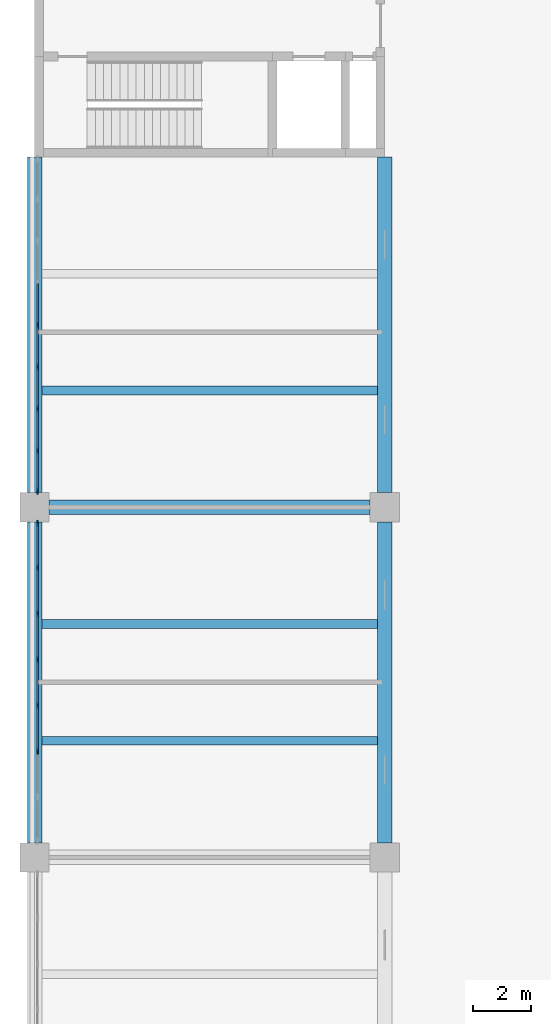
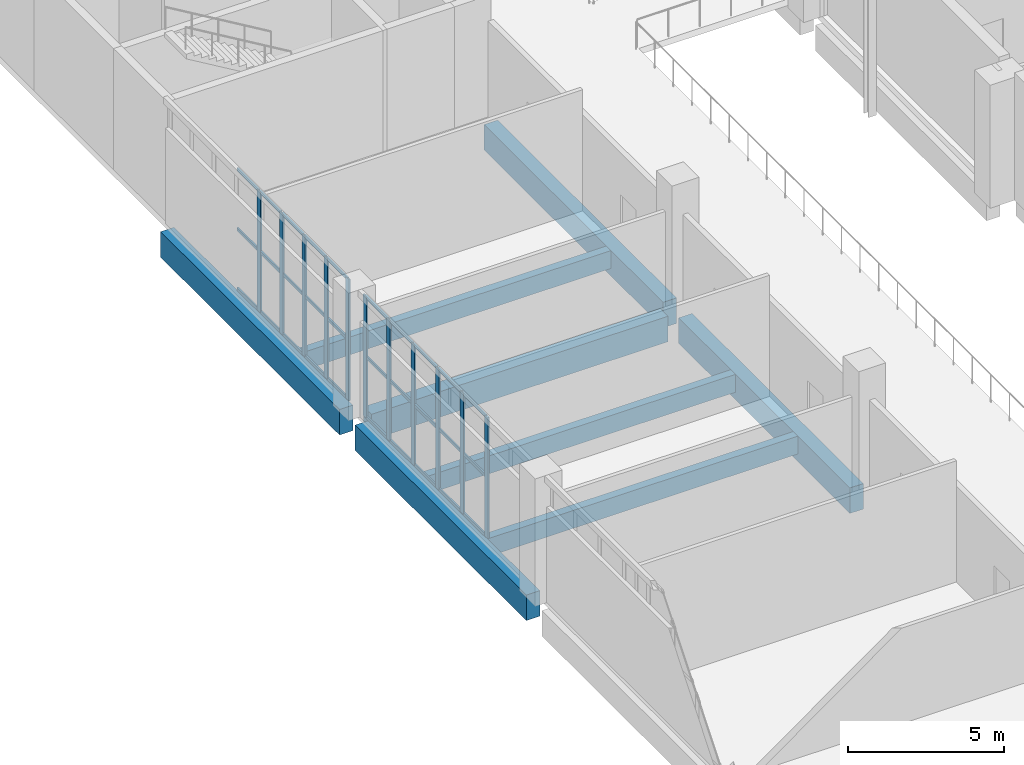
# One storey, part 33 of 69: 41 members, 8 beams, 2 elements without a shape of their own.
"""IFC4 building model written with IfcOpenShell, lengths in metres."""

from ifc_helpers import new_model, si_unit, direction, frame, origin, origin_2d, place, context, subcontext, project, spatial, rectangle, extrude, material, layer, layer_set, material_profile, profile_set, type_object, element, aggregate, save


model = new_model("IFC4")

# Units and contexts
model_context = context("Model", 3, precision=1e-05, world=origin(), true_north=direction((0.0, 1.0)))
body_context = subcontext(model_context, "Body", "Model", "MODEL_VIEW")
ifc_project = project(units=[si_unit("LENGTHUNIT", "METRE"), si_unit("AREAUNIT", "SQUARE_METRE"), si_unit("VOLUMEUNIT", "CUBIC_METRE"), si_unit("PLANEANGLEUNIT", "RADIAN"), si_unit("MASSUNIT", "GRAM", prefix="KILO")], contexts=[model_context])

# Site, building, storey
site_placement = place(None, origin())
site = spatial("IfcSite", under=ifc_project, at=site_placement, CompositionType="ELEMENT")
building_placement = place(site_placement, origin())
building = spatial("IfcBuilding", under=site, at=building_placement, Name="Lilac Gate Convention Centre", CompositionType="ELEMENT")
storey_placement = place(building_placement, frame((0.0, 0.0, 12.0)))
storey = spatial("IfcBuildingStorey", under=building, at=storey_placement, Name="L02", CompositionType="ELEMENT", Elevation=12.0)

# Curtain wall, members
ifc_material_1 = material(Name="Aluminium framed double glazing", Category="aluminium")
ifc_layer = layer(ifc_material_1, 0.199951171875)
ifc_layer_set = layer_set([ifc_layer], Name="Aluminium framed double glazing")
curtain_wall_type = type_object("IfcCurtainWallType", Name="Unitised curtain wall 1500", PredefinedType="NOTDEFINED", material=ifc_layer_set)
curtain_wall_1_placement = place(storey_placement, origin())
curtain_wall_1 = element("IfcCurtainWall", 1, at=curtain_wall_1_placement, inside=storey, type_object=curtain_wall_type, Name="Curtain wall PW L02 1", PredefinedType="NOTDEFINED")
ifc_material_2 = material(Name="Aluminium alloy 6063", Category="aluminium")
ifc_material_profile_1 = material_profile(ifc_material_2, rectangle(XDim=0.06005859375, YDim=0.219970703125, at=origin_2d()), Name="Curtain wall mullion 60 x 220")
ifc_profile_set_1 = profile_set([ifc_material_profile_1], Name="Aluminium alloy 6063")
member_type_1 = type_object("IfcMemberType", Name="Curtain wall mullion 60 x 220", PredefinedType="MULLION", material=ifc_profile_set_1)
member_1_placement = place(storey_placement, frame((6.10009765625, 204.25, 0.0), z_axis=(0.0, 0.0, 1.0), x_axis=(1.0, 0.0, 0.0)))
member_1 = element("IfcMember", 2, at=member_1_placement, type_object=member_type_1, Name="CW mullion 5", PredefinedType="MULLION", context=body_context, shape_type="SweptSolid", body=[
    extrude(rectangle(XDim=0.06005859375, YDim=0.219970703125, at=origin_2d()), origin(), (0.0, 0.0, 1.0), 4.75),
])
member_2_placement = place(storey_placement, frame((6.10009765625, 202.8125, 0.0), z_axis=(0.0, 0.0, 1.0), x_axis=(1.0, 0.0, 0.0)))
member_2 = element("IfcMember", 3, at=member_2_placement, type_object=member_type_1, Name="CW mullion 6", PredefinedType="MULLION", context=body_context, shape_type="SweptSolid", body=[
    extrude(rectangle(XDim=0.06005859375, YDim=0.219970703125, at=origin_2d()), origin(), (0.0, 0.0, 1.0), 4.75),
])
member_3_placement = place(storey_placement, frame((6.10009765625, 201.375, 0.0), z_axis=(0.0, 0.0, 1.0), x_axis=(1.0, 0.0, 0.0)))
member_3 = element("IfcMember", 4, at=member_3_placement, type_object=member_type_1, Name="CW mullion 7", PredefinedType="MULLION", context=body_context, shape_type="SweptSolid", body=[
    extrude(rectangle(XDim=0.06005859375, YDim=0.219970703125, at=origin_2d()), origin(), (0.0, 0.0, 1.0), 4.75),
])
member_4_placement = place(storey_placement, frame((6.10009765625, 199.9375, 0.0), z_axis=(0.0, 0.0, 1.0), x_axis=(1.0, 0.0, 0.0)))
member_4 = element("IfcMember", 5, at=member_4_placement, type_object=member_type_1, Name="CW mullion 8", PredefinedType="MULLION", context=body_context, shape_type="SweptSolid", body=[
    extrude(rectangle(XDim=0.06005859375, YDim=0.219970703125, at=origin_2d()), origin(), (0.0, 0.0, 1.0), 4.75),
])
member_5_placement = place(storey_placement, frame((6.10009765625, 198.56005859375, 0.0), z_axis=(0.0, 0.0, 1.0), x_axis=(1.0, 0.0, 0.0)))
member_5 = element("IfcMember", 6, at=member_5_placement, type_object=member_type_1, Name="CW mullion 9", PredefinedType="MULLION", context=body_context, shape_type="SweptSolid", body=[
    extrude(rectangle(XDim=0.06005859375, YDim=0.219970703125, at=origin_2d()), origin(), (0.0, 0.0, 1.0), 4.75),
])

curtain_wall_2_placement = place(storey_placement, origin())
curtain_wall_2 = element("IfcCurtainWall", 7, at=curtain_wall_2_placement, inside=storey, type_object=curtain_wall_type, Name="Curtain wall PW L02 2", PredefinedType="NOTDEFINED")
member_6_placement = place(storey_placement, frame((6.10009765625, 197.43994140625, 0.0), z_axis=(0.0, 0.0, 1.0), x_axis=(1.0, 0.0, 0.0)))
member_6 = element("IfcMember", 8, at=member_6_placement, type_object=member_type_1, Name="CW mullion 1", PredefinedType="MULLION", context=body_context, shape_type="SweptSolid", body=[
    extrude(rectangle(XDim=0.06005859375, YDim=0.219970703125, at=origin_2d()), origin(), (0.0, 0.0, 1.0), 4.75),
])
member_7_placement = place(storey_placement, frame((6.10009765625, 195.928466796875, 0.0), z_axis=(0.0, 0.0, 1.0), x_axis=(1.0, 0.0, 0.0)))
member_7 = element("IfcMember", 9, at=member_7_placement, type_object=member_type_1, Name="CW mullion 2", PredefinedType="MULLION", context=body_context, shape_type="SweptSolid", body=[
    extrude(rectangle(XDim=0.06005859375, YDim=0.219970703125, at=origin_2d()), origin(), (0.0, 0.0, 1.0), 4.75),
])
member_8_placement = place(storey_placement, frame((6.10009765625, 194.357177734375, 0.0), z_axis=(0.0, 0.0, 1.0), x_axis=(1.0, 0.0, 0.0)))
member_8 = element("IfcMember", 10, at=member_8_placement, type_object=member_type_1, Name="CW mullion 3", PredefinedType="MULLION", context=body_context, shape_type="SweptSolid", body=[
    extrude(rectangle(XDim=0.06005859375, YDim=0.219970703125, at=origin_2d()), origin(), (0.0, 0.0, 1.0), 4.75),
])
member_9_placement = place(storey_placement, frame((6.10009765625, 192.78564453125, 0.0), z_axis=(0.0, 0.0, 1.0), x_axis=(1.0, 0.0, 0.0)))
member_9 = element("IfcMember", 11, at=member_9_placement, type_object=member_type_1, Name="CW mullion 4", PredefinedType="MULLION", context=body_context, shape_type="SweptSolid", body=[
    extrude(rectangle(XDim=0.06005859375, YDim=0.219970703125, at=origin_2d()), origin(), (0.0, 0.0, 1.0), 4.75),
])
member_10_placement = place(storey_placement, frame((6.10009765625, 191.21435546875, 0.0), z_axis=(0.0, 0.0, 1.0), x_axis=(1.0, 0.0, 0.0)))
member_10 = element("IfcMember", 12, at=member_10_placement, type_object=member_type_1, Name="CW mullion 5", PredefinedType="MULLION", context=body_context, shape_type="SweptSolid", body=[
    extrude(rectangle(XDim=0.06005859375, YDim=0.219970703125, at=origin_2d()), origin(), (0.0, 0.0, 1.0), 4.75),
])
member_11_placement = place(storey_placement, frame((6.10009765625, 189.642822265625, 0.0), z_axis=(0.0, 0.0, 1.0), x_axis=(1.0, 0.0, 0.0)))
member_11 = element("IfcMember", 13, at=member_11_placement, type_object=member_type_1, Name="CW mullion 6", PredefinedType="MULLION", context=body_context, shape_type="SweptSolid", body=[
    extrude(rectangle(XDim=0.06005859375, YDim=0.219970703125, at=origin_2d()), origin(), (0.0, 0.0, 1.0), 4.75),
])

# Member
ifc_material_profile_2 = material_profile(ifc_material_2, rectangle(XDim=0.06005859375, YDim=0.1201171875, at=origin_2d()), Name="Curtain wall transom 60 x 120")
ifc_profile_set_2 = profile_set([ifc_material_profile_2], Name="Aluminium alloy 6063")
member_type_2 = type_object("IfcMemberType", Name="Curtain wall transom 60 x 120", PredefinedType="USERDEFINED", material=ifc_profile_set_2)
member_12_placement = place(storey_placement, frame((6.10009765625, 205.657470703125, 0.030029296875), z_axis=(0.0, -1.0, 0.0), x_axis=(1.0, 0.0, 0.0)))
member_12 = element("IfcMember", 14, at=member_12_placement, type_object=member_type_2, Name="CW transom 4.1", ObjectType="TRANSOM", PredefinedType="USERDEFINED", context=body_context, shape_type="SweptSolid", body=[
    extrude(rectangle(XDim=0.06005859375, YDim=0.1201171875, at=origin_2d()), origin(), (0.0, 0.0, 1.0), 1.37744140625),
])

member_13_placement = place(storey_placement, frame((6.10009765625, 205.657470703125, 2.375), z_axis=(0.0, -1.0, 0.0), x_axis=(1.0, 0.0, 0.0)))
member_13 = element("IfcMember", 15, at=member_13_placement, type_object=member_type_2, Name="CW transom 4.2", ObjectType="TRANSOM", PredefinedType="USERDEFINED", context=body_context, shape_type="SweptSolid", body=[
    extrude(rectangle(XDim=0.06005859375, YDim=0.1201171875, at=origin_2d()), origin(), (0.0, 0.0, 1.0), 1.37744140625),
])

member_14_placement = place(storey_placement, frame((6.10009765625, 205.657470703125, 4.719970703125), z_axis=(0.0, -1.0, 0.0), x_axis=(1.0, 0.0, 0.0)))
member_14 = element("IfcMember", 16, at=member_14_placement, type_object=member_type_2, Name="CW transom 4.3", ObjectType="TRANSOM", PredefinedType="USERDEFINED", context=body_context, shape_type="SweptSolid", body=[
    extrude(rectangle(XDim=0.06005859375, YDim=0.1201171875, at=origin_2d()), origin(), (0.0, 0.0, 1.0), 1.37744140625),
])

member_15_placement = place(storey_placement, frame((6.10009765625, 204.219970703125, 0.030029296875), z_axis=(0.0, -1.0, 0.0), x_axis=(1.0, 0.0, 0.0)))
member_15 = element("IfcMember", 17, at=member_15_placement, type_object=member_type_2, Name="CW transom 5.1", ObjectType="TRANSOM", PredefinedType="USERDEFINED", context=body_context, shape_type="SweptSolid", body=[
    extrude(rectangle(XDim=0.06005859375, YDim=0.1201171875, at=origin_2d()), origin(), (0.0, 0.0, 1.0), 1.37744140625),
])

member_16_placement = place(storey_placement, frame((6.10009765625, 204.219970703125, 2.375), z_axis=(0.0, -1.0, 0.0), x_axis=(1.0, 0.0, 0.0)))
member_16 = element("IfcMember", 18, at=member_16_placement, type_object=member_type_2, Name="CW transom 5.2", ObjectType="TRANSOM", PredefinedType="USERDEFINED", context=body_context, shape_type="SweptSolid", body=[
    extrude(rectangle(XDim=0.06005859375, YDim=0.1201171875, at=origin_2d()), origin(), (0.0, 0.0, 1.0), 1.37744140625),
])

member_17_placement = place(storey_placement, frame((6.10009765625, 204.219970703125, 4.719970703125), z_axis=(0.0, -1.0, 0.0), x_axis=(1.0, 0.0, 0.0)))
member_17 = element("IfcMember", 19, at=member_17_placement, type_object=member_type_2, Name="CW transom 5.3", ObjectType="TRANSOM", PredefinedType="USERDEFINED", context=body_context, shape_type="SweptSolid", body=[
    extrude(rectangle(XDim=0.06005859375, YDim=0.1201171875, at=origin_2d()), origin(), (0.0, 0.0, 1.0), 1.37744140625),
])

member_18_placement = place(storey_placement, frame((6.10009765625, 202.782470703125, 0.030029296875), z_axis=(0.0, -1.0, 0.0), x_axis=(1.0, 0.0, 0.0)))
member_18 = element("IfcMember", 20, at=member_18_placement, type_object=member_type_2, Name="CW transom 6.1", ObjectType="TRANSOM", PredefinedType="USERDEFINED", context=body_context, shape_type="SweptSolid", body=[
    extrude(rectangle(XDim=0.06005859375, YDim=0.1201171875, at=origin_2d()), origin(), (0.0, 0.0, 1.0), 1.37744140625),
])

member_19_placement = place(storey_placement, frame((6.10009765625, 202.782470703125, 2.375), z_axis=(0.0, -1.0, 0.0), x_axis=(1.0, 0.0, 0.0)))
member_19 = element("IfcMember", 21, at=member_19_placement, type_object=member_type_2, Name="CW transom 6.2", ObjectType="TRANSOM", PredefinedType="USERDEFINED", context=body_context, shape_type="SweptSolid", body=[
    extrude(rectangle(XDim=0.06005859375, YDim=0.1201171875, at=origin_2d()), origin(), (0.0, 0.0, 1.0), 1.37744140625),
])

member_20_placement = place(storey_placement, frame((6.10009765625, 202.782470703125, 4.719970703125), z_axis=(0.0, -1.0, 0.0), x_axis=(1.0, 0.0, 0.0)))
member_20 = element("IfcMember", 22, at=member_20_placement, type_object=member_type_2, Name="CW transom 6.3", ObjectType="TRANSOM", PredefinedType="USERDEFINED", context=body_context, shape_type="SweptSolid", body=[
    extrude(rectangle(XDim=0.06005859375, YDim=0.1201171875, at=origin_2d()), origin(), (0.0, 0.0, 1.0), 1.37744140625),
])

member_21_placement = place(storey_placement, frame((6.10009765625, 201.344970703125, 0.030029296875), z_axis=(0.0, -1.0, 0.0), x_axis=(1.0, 0.0, 0.0)))
member_21 = element("IfcMember", 23, at=member_21_placement, type_object=member_type_2, Name="CW transom 7.1", ObjectType="TRANSOM", PredefinedType="USERDEFINED", context=body_context, shape_type="SweptSolid", body=[
    extrude(rectangle(XDim=0.06005859375, YDim=0.1201171875, at=origin_2d()), origin(), (0.0, 0.0, 1.0), 1.37744140625),
])

member_22_placement = place(storey_placement, frame((6.10009765625, 201.344970703125, 2.375), z_axis=(0.0, -1.0, 0.0), x_axis=(1.0, 0.0, 0.0)))
member_22 = element("IfcMember", 24, at=member_22_placement, type_object=member_type_2, Name="CW transom 7.2", ObjectType="TRANSOM", PredefinedType="USERDEFINED", context=body_context, shape_type="SweptSolid", body=[
    extrude(rectangle(XDim=0.06005859375, YDim=0.1201171875, at=origin_2d()), origin(), (0.0, 0.0, 1.0), 1.37744140625),
])

member_23_placement = place(storey_placement, frame((6.10009765625, 201.344970703125, 4.719970703125), z_axis=(0.0, -1.0, 0.0), x_axis=(1.0, 0.0, 0.0)))
member_23 = element("IfcMember", 25, at=member_23_placement, type_object=member_type_2, Name="CW transom 7.3", ObjectType="TRANSOM", PredefinedType="USERDEFINED", context=body_context, shape_type="SweptSolid", body=[
    extrude(rectangle(XDim=0.06005859375, YDim=0.1201171875, at=origin_2d()), origin(), (0.0, 0.0, 1.0), 1.37744140625),
])

member_24_placement = place(storey_placement, frame((6.10009765625, 199.907470703125, 0.030029296875), z_axis=(0.0, -1.0, 0.0), x_axis=(1.0, 0.0, 0.0)))
member_24 = element("IfcMember", 26, at=member_24_placement, type_object=member_type_2, Name="CW transom 8.1", ObjectType="TRANSOM", PredefinedType="USERDEFINED", context=body_context, shape_type="SweptSolid", body=[
    extrude(rectangle(XDim=0.06005859375, YDim=0.1201171875, at=origin_2d()), origin(), (0.0, 0.0, 1.0), 1.347412109375),
])

member_25_placement = place(storey_placement, frame((6.10009765625, 199.907470703125, 2.375), z_axis=(0.0, -1.0, 0.0), x_axis=(1.0, 0.0, 0.0)))
member_25 = element("IfcMember", 27, at=member_25_placement, type_object=member_type_2, Name="CW transom 8.2", ObjectType="TRANSOM", PredefinedType="USERDEFINED", context=body_context, shape_type="SweptSolid", body=[
    extrude(rectangle(XDim=0.06005859375, YDim=0.1201171875, at=origin_2d()), origin(), (0.0, 0.0, 1.0), 1.347412109375),
])

member_26_placement = place(storey_placement, frame((6.10009765625, 199.907470703125, 4.719970703125), z_axis=(0.0, -1.0, 0.0), x_axis=(1.0, 0.0, 0.0)))
member_26 = element("IfcMember", 28, at=member_26_placement, type_object=member_type_2, Name="CW transom 8.3", ObjectType="TRANSOM", PredefinedType="USERDEFINED", context=body_context, shape_type="SweptSolid", body=[
    extrude(rectangle(XDim=0.06005859375, YDim=0.1201171875, at=origin_2d()), origin(), (0.0, 0.0, 1.0), 1.347412109375),
])

aggregate(curtain_wall_1, [member_1, member_2, member_3, member_4, member_5, member_12, member_13, member_14, member_15, member_16, member_17, member_18, member_19, member_20, member_21, member_22, member_23, member_24, member_25, member_26])

member_27_placement = place(storey_placement, frame((6.10009765625, 197.43994140625, 0.030029296875), z_axis=(0.0, -1.0, 0.0), x_axis=(1.0, 0.0, 0.0)))
member_27 = element("IfcMember", 29, at=member_27_placement, type_object=member_type_2, Name="CW transom 1.1", ObjectType="TRANSOM", PredefinedType="USERDEFINED", context=body_context, shape_type="SweptSolid", body=[
    extrude(rectangle(XDim=0.06005859375, YDim=0.1201171875, at=origin_2d()), origin(), (0.0, 0.0, 1.0), 1.4814453125),
])

member_28_placement = place(storey_placement, frame((6.10009765625, 197.43994140625, 2.375), z_axis=(0.0, -1.0, 0.0), x_axis=(1.0, 0.0, 0.0)))
member_28 = element("IfcMember", 30, at=member_28_placement, type_object=member_type_2, Name="CW transom 1.2", ObjectType="TRANSOM", PredefinedType="USERDEFINED", context=body_context, shape_type="SweptSolid", body=[
    extrude(rectangle(XDim=0.06005859375, YDim=0.1201171875, at=origin_2d()), origin(), (0.0, 0.0, 1.0), 1.4814453125),
])

member_29_placement = place(storey_placement, frame((6.10009765625, 197.43994140625, 4.719970703125), z_axis=(0.0, -1.0, 0.0), x_axis=(1.0, 0.0, 0.0)))
member_29 = element("IfcMember", 31, at=member_29_placement, type_object=member_type_2, Name="CW transom 1.3", ObjectType="TRANSOM", PredefinedType="USERDEFINED", context=body_context, shape_type="SweptSolid", body=[
    extrude(rectangle(XDim=0.06005859375, YDim=0.1201171875, at=origin_2d()), origin(), (0.0, 0.0, 1.0), 1.4814453125),
])

member_30_placement = place(storey_placement, frame((6.10009765625, 195.898681640625, 0.030029296875), z_axis=(0.0, -1.0, 0.0), x_axis=(1.0, 0.0, 0.0)))
member_30 = element("IfcMember", 32, at=member_30_placement, type_object=member_type_2, Name="CW transom 2.1", ObjectType="TRANSOM", PredefinedType="USERDEFINED", context=body_context, shape_type="SweptSolid", body=[
    extrude(rectangle(XDim=0.06005859375, YDim=0.1201171875, at=origin_2d()), origin(), (0.0, 0.0, 1.0), 1.511474609375),
])

member_31_placement = place(storey_placement, frame((6.10009765625, 195.898681640625, 2.375), z_axis=(0.0, -1.0, 0.0), x_axis=(1.0, 0.0, 0.0)))
member_31 = element("IfcMember", 33, at=member_31_placement, type_object=member_type_2, Name="CW transom 2.2", ObjectType="TRANSOM", PredefinedType="USERDEFINED", context=body_context, shape_type="SweptSolid", body=[
    extrude(rectangle(XDim=0.06005859375, YDim=0.1201171875, at=origin_2d()), origin(), (0.0, 0.0, 1.0), 1.511474609375),
])

member_32_placement = place(storey_placement, frame((6.10009765625, 195.898681640625, 4.719970703125), z_axis=(0.0, -1.0, 0.0), x_axis=(1.0, 0.0, 0.0)))
member_32 = element("IfcMember", 34, at=member_32_placement, type_object=member_type_2, Name="CW transom 2.3", ObjectType="TRANSOM", PredefinedType="USERDEFINED", context=body_context, shape_type="SweptSolid", body=[
    extrude(rectangle(XDim=0.06005859375, YDim=0.1201171875, at=origin_2d()), origin(), (0.0, 0.0, 1.0), 1.511474609375),
])

member_33_placement = place(storey_placement, frame((6.10009765625, 194.3271484375, 0.030029296875), z_axis=(0.0, -1.0, 0.0), x_axis=(1.0, 0.0, 0.0)))
member_33 = element("IfcMember", 35, at=member_33_placement, type_object=member_type_2, Name="CW transom 3.1", ObjectType="TRANSOM", PredefinedType="USERDEFINED", context=body_context, shape_type="SweptSolid", body=[
    extrude(rectangle(XDim=0.06005859375, YDim=0.1201171875, at=origin_2d()), origin(), (0.0, 0.0, 1.0), 1.511474609375),
])

member_34_placement = place(storey_placement, frame((6.10009765625, 194.3271484375, 2.375), z_axis=(0.0, -1.0, 0.0), x_axis=(1.0, 0.0, 0.0)))
member_34 = element("IfcMember", 36, at=member_34_placement, type_object=member_type_2, Name="CW transom 3.2", ObjectType="TRANSOM", PredefinedType="USERDEFINED", context=body_context, shape_type="SweptSolid", body=[
    extrude(rectangle(XDim=0.06005859375, YDim=0.1201171875, at=origin_2d()), origin(), (0.0, 0.0, 1.0), 1.511474609375),
])

member_35_placement = place(storey_placement, frame((6.10009765625, 194.3271484375, 4.719970703125), z_axis=(0.0, -1.0, 0.0), x_axis=(1.0, 0.0, 0.0)))
member_35 = element("IfcMember", 37, at=member_35_placement, type_object=member_type_2, Name="CW transom 3.3", ObjectType="TRANSOM", PredefinedType="USERDEFINED", context=body_context, shape_type="SweptSolid", body=[
    extrude(rectangle(XDim=0.06005859375, YDim=0.1201171875, at=origin_2d()), origin(), (0.0, 0.0, 1.0), 1.511474609375),
])

member_36_placement = place(storey_placement, frame((6.10009765625, 192.755615234375, 0.030029296875), z_axis=(0.0, -1.0, 0.0), x_axis=(1.0, 0.0, 0.0)))
member_36 = element("IfcMember", 38, at=member_36_placement, type_object=member_type_2, Name="CW transom 4.1", ObjectType="TRANSOM", PredefinedType="USERDEFINED", context=body_context, shape_type="SweptSolid", body=[
    extrude(rectangle(XDim=0.06005859375, YDim=0.1201171875, at=origin_2d()), origin(), (0.0, 0.0, 1.0), 1.51123046875),
])

member_37_placement = place(storey_placement, frame((6.10009765625, 192.755615234375, 2.375), z_axis=(0.0, -1.0, 0.0), x_axis=(1.0, 0.0, 0.0)))
member_37 = element("IfcMember", 39, at=member_37_placement, type_object=member_type_2, Name="CW transom 4.2", ObjectType="TRANSOM", PredefinedType="USERDEFINED", context=body_context, shape_type="SweptSolid", body=[
    extrude(rectangle(XDim=0.06005859375, YDim=0.1201171875, at=origin_2d()), origin(), (0.0, 0.0, 1.0), 1.51123046875),
])

member_38_placement = place(storey_placement, frame((6.10009765625, 192.755615234375, 4.719970703125), z_axis=(0.0, -1.0, 0.0), x_axis=(1.0, 0.0, 0.0)))
member_38 = element("IfcMember", 40, at=member_38_placement, type_object=member_type_2, Name="CW transom 4.3", ObjectType="TRANSOM", PredefinedType="USERDEFINED", context=body_context, shape_type="SweptSolid", body=[
    extrude(rectangle(XDim=0.06005859375, YDim=0.1201171875, at=origin_2d()), origin(), (0.0, 0.0, 1.0), 1.51123046875),
])

member_39_placement = place(storey_placement, frame((6.10009765625, 191.184326171875, 0.030029296875), z_axis=(0.0, -1.0, 0.0), x_axis=(1.0, 0.0, 0.0)))
member_39 = element("IfcMember", 41, at=member_39_placement, type_object=member_type_2, Name="CW transom 5.1", ObjectType="TRANSOM", PredefinedType="USERDEFINED", context=body_context, shape_type="SweptSolid", body=[
    extrude(rectangle(XDim=0.06005859375, YDim=0.1201171875, at=origin_2d()), origin(), (0.0, 0.0, 1.0), 1.511474609375),
])

member_40_placement = place(storey_placement, frame((6.10009765625, 191.184326171875, 2.375), z_axis=(0.0, -1.0, 0.0), x_axis=(1.0, 0.0, 0.0)))
member_40 = element("IfcMember", 42, at=member_40_placement, type_object=member_type_2, Name="CW transom 5.2", ObjectType="TRANSOM", PredefinedType="USERDEFINED", context=body_context, shape_type="SweptSolid", body=[
    extrude(rectangle(XDim=0.06005859375, YDim=0.1201171875, at=origin_2d()), origin(), (0.0, 0.0, 1.0), 1.511474609375),
])

member_41_placement = place(storey_placement, frame((6.10009765625, 191.184326171875, 4.719970703125), z_axis=(0.0, -1.0, 0.0), x_axis=(1.0, 0.0, 0.0)))
member_41 = element("IfcMember", 43, at=member_41_placement, type_object=member_type_2, Name="CW transom 5.3", ObjectType="TRANSOM", PredefinedType="USERDEFINED", context=body_context, shape_type="SweptSolid", body=[
    extrude(rectangle(XDim=0.06005859375, YDim=0.1201171875, at=origin_2d()), origin(), (0.0, 0.0, 1.0), 1.511474609375),
])

aggregate(curtain_wall_2, [member_6, member_7, member_8, member_9, member_10, member_11, member_27, member_28, member_29, member_30, member_31, member_32, member_33, member_34, member_35, member_36, member_37, member_38, member_39, member_40, member_41])

# Beams
ifc_material_3 = material(Name="Concrete C40", Category="concrete")
ifc_material_profile_3 = material_profile(ifc_material_3, rectangle(XDim=0.5, YDim=1.0, at=origin_2d()), Name="RC 500x1000")
ifc_profile_set_3 = profile_set([ifc_material_profile_3], Name="Concrete C40")
beam_type_1 = type_object("IfcBeamType", Name="Primary beam 500x1000 C40", PredefinedType="BEAM", material=ifc_profile_set_3)
for number, where, z_axis, x_axis, name in (
    (44, (6.5, 198.0, -0.75), (1.0, 0.0, 0.0), (0.0, 1.0, 0.0), "RB1 L02 1/Q-2/Q"),
    (45, (6.0, 186.5, -0.75), (0.0, 1.0, 0.0), (-1.0, 0.0, 0.0), "RB1 L02 1/P-1/Q"),
):
    element("IfcBeam", number, at=place(storey_placement, frame(where, z_axis=z_axis, x_axis=x_axis)), inside=storey, type_object=beam_type_1, Name=name, PredefinedType="BEAM", context=body_context, shape_type="SweptSolid", body=[
        extrude(rectangle(XDim=0.5, YDim=1.0, at=origin_2d()), origin(), (0.0, 0.0, 1.0), 11.0),
    ])
beam_1_placement = place(storey_placement, frame((6.0, 198.5, -0.75), z_axis=(0.0, 1.0, 0.0), x_axis=(-1.0, 0.0, 0.0)))
element("IfcBeam", 46, at=beam_1_placement, inside=storey, type_object=beam_type_1, Name="RB1 L02 1/Q-1/R", PredefinedType="BEAM", context=body_context, shape_type="SweptSolid", body=[
    extrude(rectangle(XDim=0.5, YDim=1.0, at=origin_2d()), origin(), (0.0, 0.0, 1.0), 11.5),
])
beam_2_placement = place(storey_placement, frame((18.0, 186.5, -0.75), z_axis=(0.0, 1.0, 0.0), x_axis=(-1.0, 0.0, 0.0)))
element("IfcBeam", 47, at=beam_2_placement, inside=storey, type_object=beam_type_1, Name="RB1 L02 2/P-2/Q", PredefinedType="BEAM", context=body_context, shape_type="SweptSolid", body=[
    extrude(rectangle(XDim=0.5, YDim=1.0, at=origin_2d()), origin(), (0.0, 0.0, 1.0), 11.0),
])
beam_3_placement = place(storey_placement, frame((18.0, 198.5, -0.75), z_axis=(0.0, 1.0, 0.0), x_axis=(-1.0, 0.0, 0.0)))
element("IfcBeam", 48, at=beam_3_placement, inside=storey, type_object=beam_type_1, Name="RB1 L02 2/Q-2/R", PredefinedType="BEAM", context=body_context, shape_type="SweptSolid", body=[
    extrude(rectangle(XDim=0.5, YDim=1.0, at=origin_2d()), origin(), (0.0, 0.0, 1.0), 11.5),
])
ifc_material_profile_4 = material_profile(ifc_material_3, rectangle(XDim=0.300048828125, YDim=0.699951171875, at=origin_2d()), Name="RC 300x700")
ifc_profile_set_4 = profile_set([ifc_material_profile_4], Name="Concrete C40")
beam_type_2 = type_object("IfcBeamType", Name="Secondary beam 300x700 C40", PredefinedType="BEAM", material=ifc_profile_set_4)
for number, where, z_axis, x_axis, name in (
    (49, (6.25, 190.0, -0.60009765625), (1.0, 0.0, 0.0), (0.0, 1.0, 0.0), "RB2 L02 bay 1/P"),
    (50, (6.25, 194.0, -0.60009765625), (1.0, 0.0, 0.0), (0.0, 1.0, 0.0), "RB2 L02 bay 1/P"),
    (51, (6.25, 202.0, -0.60009765625), (1.0, 0.0, 0.0), (0.0, 1.0, 0.0), "RB2 L02 bay 1/Q"),
):
    element("IfcBeam", number, at=place(storey_placement, frame(where, z_axis=z_axis, x_axis=x_axis)), inside=storey, type_object=beam_type_2, Name=name, PredefinedType="BEAM", context=body_context, shape_type="SweptSolid", body=[
        extrude(rectangle(XDim=0.300048828125, YDim=0.699951171875, at=origin_2d()), origin(), (0.0, 0.0, 1.0), 11.5),
    ])

save(model, "model.ifc")
